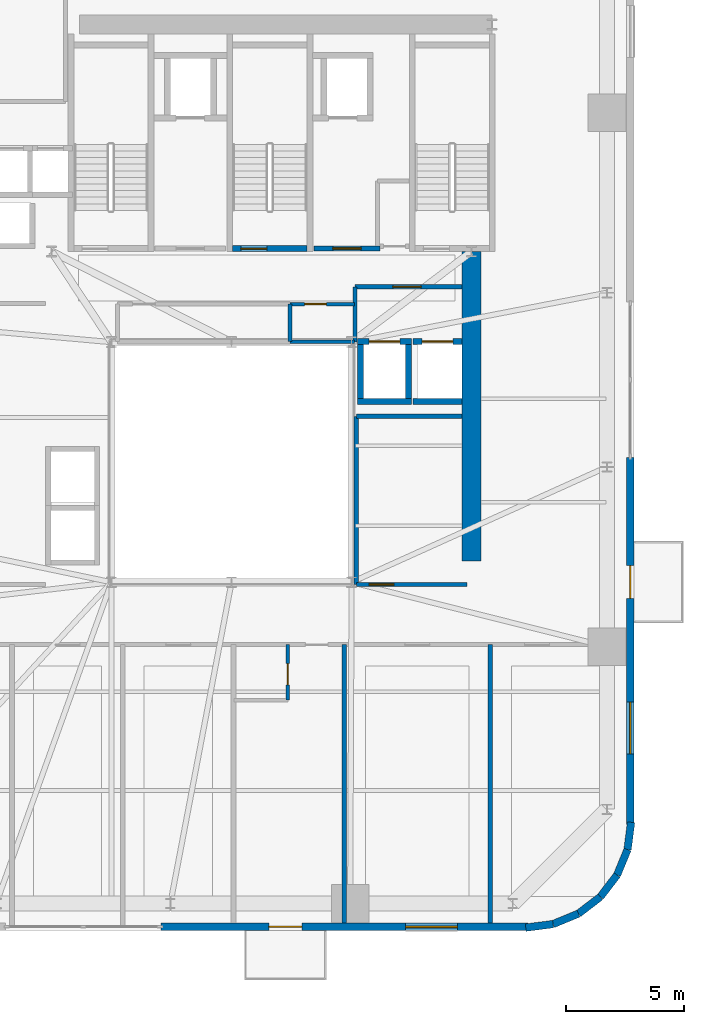
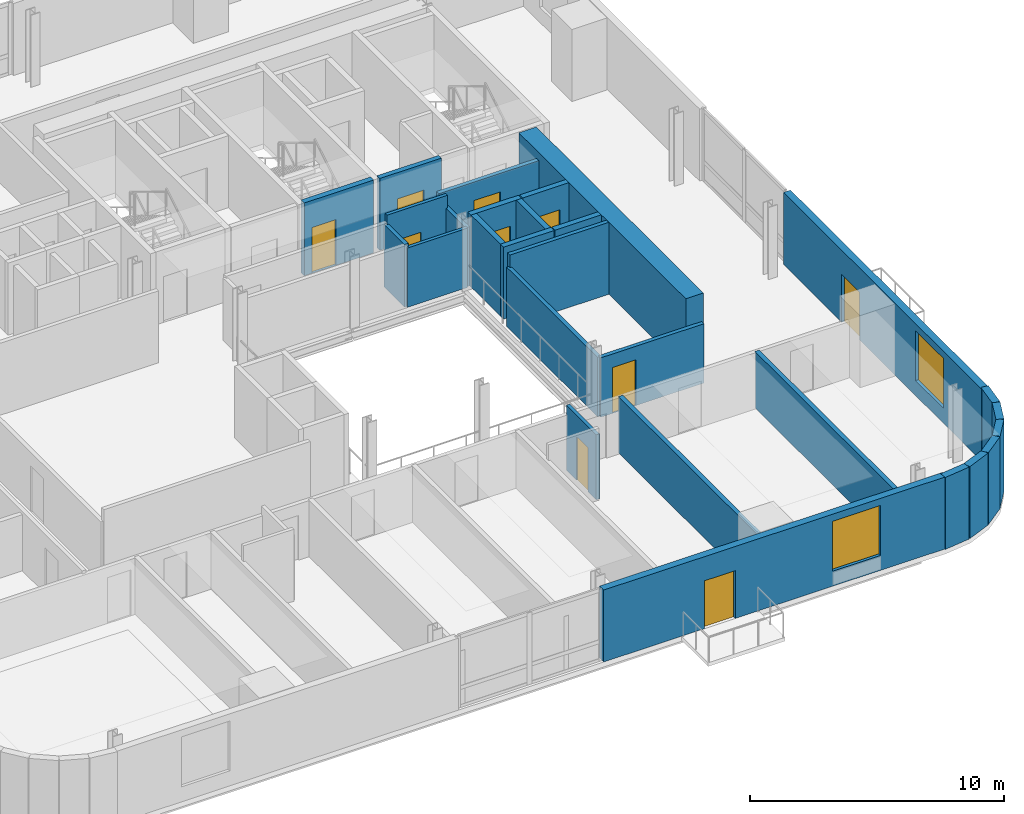
# One storey, part 7 of 14: 28 walls, 10 doors, 2 windows, 12 openings.
"""IFC4 building model written with IfcOpenShell, lengths in metres."""

from ifc_helpers import new_model, si_unit, direction, frame, frame_2d, origin, place, context, subcontext, project, spatial, rectangle, extrude, source, transform, mapped, material, layer, layer_set, type_object, element, fill, save


model = new_model("IFC4")

# Units and contexts
model_context = context("Model", 3, precision=1e-05, world=origin(), true_north=direction((0.0, 1.0)))
body_context = subcontext(model_context, "Body", "Model", "MODEL_VIEW")
ifc_project = project(units=[si_unit("LENGTHUNIT", "METRE"), si_unit("AREAUNIT", "SQUARE_METRE"), si_unit("VOLUMEUNIT", "CUBIC_METRE"), si_unit("PLANEANGLEUNIT", "RADIAN"), si_unit("MASSUNIT", "GRAM", prefix="KILO")], contexts=[model_context])

# Site, building, storey
site_placement = place(None, origin())
site = spatial("IfcSite", under=ifc_project, at=site_placement, CompositionType="ELEMENT")
building_placement = place(site_placement, origin())
building = spatial("IfcBuilding", under=site, at=building_placement, Name="Vardaveli Station Tower", CompositionType="ELEMENT")
storey_placement = place(building_placement, frame((0.0, 0.0, 152.0)))
storey = spatial("IfcBuildingStorey", under=building, at=storey_placement, Name="L39", CompositionType="ELEMENT", Elevation=152.0)

# Wall
ifc_material_1 = material(Name="Concrete C50/60", Category="concrete")
ifc_layer_1 = layer(ifc_material_1, 0.800048828125, Name="Concrete C50/60")
ifc_layer_set_1 = layer_set([ifc_layer_1], Name="Concrete C50/60")
wall_type_1 = type_object("IfcWallType", Name="WAL-CORE-800", PredefinedType="SHEAR", material=ifc_layer_set_1)
shared_shape_1 = source(origin(), body_context, "Body", "SweptSolid", [
    extrude(rectangle(XDim=13.14990234375, YDim=0.800048828125, at=frame_2d((6.574951171875, 0.0))), origin(), (0.0, 0.0, 1.0), 3.4599609375),
])
wall_1_placement = place(storey_placement, frame((46.5, 17.5, 0.0), z_axis=(0.0, 0.0, 1.0), x_axis=(0.0, 1.0, 0.0)))
element("IfcWall", 1, at=wall_1_placement, inside=storey, type_object=wall_type_1, Name="SW-L39-EAST2", PredefinedType="SHEAR", context=body_context, shape_type="MappedRepresentation", body=[
    mapped(shared_shape_1, transform((0.0, 0.0, 0.0), scale=1.0)),
])

# Wall, openings, door, window
ifc_material_2 = material(Name="Precast concrete C45/55", Category="concrete")
ifc_layer_2 = layer(ifc_material_2, 0.320068359375, Name="Precast concrete C45/55")
ifc_layer_set_2 = layer_set([ifc_layer_2], Name="Precast concrete C45/55")
wall_type_2 = type_object("IfcWallType", Name="WAL-EXT-STONE-320", PredefinedType="SOLIDWALL", material=ifc_layer_set_2)
shared_shape_2 = source(origin(), body_context, "Body", "SweptSolid", [
    extrude(rectangle(XDim=15.599853515625, YDim=0.320068359375, at=frame_2d((7.7998046875, 0.0))), origin(), (0.0, 0.0, 1.0), 3.4599609375),
])
wall_2_placement = place(storey_placement, frame((33.300048828125, 1.9599609375, 0.0), z_axis=(0.0, 0.0, 1.0), x_axis=(1.0, 0.0, 0.0)))
wall_2 = element("IfcWall", 2, at=wall_2_placement, inside=storey, type_object=wall_type_2, Name="EW-L39-S2", PredefinedType="SOLIDWALL", context=body_context, shape_type="MappedRepresentation", body=[
    mapped(shared_shape_2, transform((0.0, 0.0, 0.0), scale=1.0)),
])
shared_shape_3 = source(origin(), body_context, "Body", "SweptSolid", [
    extrude(rectangle(XDim=1.39990234375, YDim=2.300048828125, at=frame_2d((0.699951171875, 1.14990234375))), frame((0.0, 0.169921875, 0.0), z_axis=(0.0, -1.0, 0.0), x_axis=(1.0, 0.0, 0.0)), (0.0, 0.0, 1.0), 0.340087890625),
])
opening_1_placement = place(wall_2_placement, frame((4.589599609375, 0.0, 0.0)))
opening_1 = element("IfcOpeningElement", 3, at=opening_1_placement, cuts=wall_2, Name="Opening D-09", PredefinedType="OPENING", context=body_context, shape_type="MappedRepresentation", body=[
    mapped(shared_shape_3, transform((0.0, 0.0, 0.0), scale=1.0)),
])
shared_shape_4 = source(origin(), body_context, "Body", "SweptSolid", [
    extrude(rectangle(XDim=2.199951171875, YDim=2.39990234375, at=frame_2d((1.10009765625, 1.199951171875))), frame((0.0, 0.169921875, 0.0), z_axis=(0.0, -1.0, 0.0), x_axis=(1.0, 0.0, 0.0)), (0.0, 0.0, 1.0), 0.340087890625),
])
opening_2_placement = place(wall_2_placement, frame((10.39501953125, 0.0, 0.719970703125)))
opening_2 = element("IfcOpeningElement", 4, at=opening_2_placement, cuts=wall_2, Name="Opening W-03", PredefinedType="OPENING", context=body_context, shape_type="MappedRepresentation", body=[
    mapped(shared_shape_4, transform((0.0, 0.0, 0.0), scale=1.0)),
])
ifc_material_3 = material(Name="Thermally broken aluminium glass", Category="aluminium")
door_type_1 = type_object("IfcDoorType", Name="DR-LOG-1400x2300", OperationType="DOUBLE_DOOR_SLIDING", PredefinedType="DOOR", material=ifc_material_3)
shared_shape_5 = source(origin(), body_context, "Body", "SweptSolid", [
    extrude(rectangle(XDim=1.39990234375, YDim=2.300048828125, at=frame_2d((0.699951171875, 1.14990234375))), frame((0.0, 0.02490234375, 0.0), z_axis=(0.0, -1.0, 0.0), x_axis=(1.0, 0.0, 0.0)), (0.0, 0.0, 1.0), 0.050048828125),
])
door_1_placement = place(opening_1_placement, frame((1.39990234375, 0.0, 0.0), z_axis=(0.0, 0.0, 1.0), x_axis=(-1.0, 0.0, 0.0)))
door_1 = element("IfcDoor", 5, at=door_1_placement, inside=storey, type_object=door_type_1, Name="DLG-L39-S", OperationType="DOUBLE_DOOR_SLIDING", OverallHeight=2.300048828125, OverallWidth=1.39990234375, PredefinedType="DOOR", context=body_context, shape_type="MappedRepresentation", body=[
    mapped(shared_shape_5, transform((0.0, 0.0, 0.0), scale=1.0)),
])
fill(opening_1, door_1)
ifc_material_4 = material(Name="Low-E solar-control glass", Category="glass")
window_type = type_object("IfcWindowType", Name="WIN-LOG-2200x2400", PartitioningType="SINGLE_PANEL", PredefinedType="WINDOW", material=ifc_material_4)
shared_shape_6 = source(origin(), body_context, "Body", "SweptSolid", [
    extrude(rectangle(XDim=2.199951171875, YDim=2.39990234375, at=frame_2d((1.10009765625, 1.199951171875))), frame((0.0, 0.030029296875, 0.0), z_axis=(0.0, -1.0, 0.0), x_axis=(1.0, 0.0, 0.0)), (0.0, 0.0, 1.0), 0.06005859375),
])
window_1_placement = place(opening_2_placement, origin())
window_1 = element("IfcWindow", 6, at=window_1_placement, inside=storey, type_object=window_type, Name="WN-L39-S2", OverallHeight=2.39990234375, OverallWidth=2.199951171875, PartitioningType="SINGLE_PANEL", PredefinedType="WINDOW", context=body_context, shape_type="MappedRepresentation", body=[
    mapped(shared_shape_6, transform((0.0, 0.0, 0.0), scale=1.0)),
])
fill(opening_2, window_1)

wall_3_placement = place(storey_placement, frame((53.239990234375, 6.300048828125, 0.0), z_axis=(0.0, 0.0, 1.0), x_axis=(0.0, 1.0, 0.0)))
wall_3 = element("IfcWall", 7, at=wall_3_placement, inside=storey, type_object=wall_type_2, Name="EW-L39-E1", PredefinedType="SOLIDWALL", context=body_context, shape_type="MappedRepresentation", body=[
    mapped(shared_shape_2, transform((0.0, 0.0, 0.0), scale=1.0)),
])
opening_3_placement = place(wall_3_placement, frame((9.6103515625, 0.0, 0.0)))
opening_3 = element("IfcOpeningElement", 8, at=opening_3_placement, cuts=wall_3, Name="Opening D-09", PredefinedType="OPENING", context=body_context, shape_type="MappedRepresentation", body=[
    mapped(shared_shape_3, transform((0.0, 0.0, 0.0), scale=1.0)),
])
opening_4_placement = place(wall_3_placement, frame((3.0048828125, 0.0, 0.719970703125)))
opening_4 = element("IfcOpeningElement", 9, at=opening_4_placement, cuts=wall_3, Name="Opening W-03", PredefinedType="OPENING", context=body_context, shape_type="MappedRepresentation", body=[
    mapped(shared_shape_4, transform((0.0, 0.0, 0.0), scale=1.0)),
])
door_2_placement = place(opening_3_placement, frame((1.39990234375, 0.0, 0.0), z_axis=(0.0, 0.0, 1.0), x_axis=(-1.0, 0.0, 0.0)))
door_2 = element("IfcDoor", 10, at=door_2_placement, inside=storey, type_object=door_type_1, Name="DLG-L39-E", OperationType="DOUBLE_DOOR_SLIDING", OverallHeight=2.300048828125, OverallWidth=1.39990234375, PredefinedType="DOOR", context=body_context, shape_type="MappedRepresentation", body=[
    mapped(shared_shape_5, transform((0.0, 0.0, 0.0), scale=1.0)),
])
fill(opening_3, door_2)
window_2_placement = place(opening_4_placement, origin())
window_2 = element("IfcWindow", 11, at=window_2_placement, inside=storey, type_object=window_type, Name="WN-L39-E1", OverallHeight=2.39990234375, OverallWidth=2.199951171875, PartitioningType="SINGLE_PANEL", PredefinedType="WINDOW", context=body_context, shape_type="MappedRepresentation", body=[
    mapped(shared_shape_6, transform((0.0, 0.0, 0.0), scale=1.0)),
])
fill(opening_4, window_2)

# Walls
shared_shape_7 = source(origin(), body_context, "Body", "SweptSolid", [
    extrude(rectangle(XDim=1.170654296875, YDim=0.320068359375, at=frame_2d((0.58544921875, 0.0))), origin(), (0.0, 0.0, 1.0), 3.4599609375),
])
wall_4_placement = place(storey_placement, frame((53.12548828125, 5.23974609375, 0.0), z_axis=(0.0, 0.0, 1.0), x_axis=(0.128269133229, 0.991739395941, 0.0)))
element("IfcWall", 12, at=wall_4_placement, inside=storey, type_object=wall_type_2, Name="EW-L39-CR2-6", PredefinedType="SOLIDWALL", context=body_context, shape_type="MappedRepresentation", body=[
    mapped(shared_shape_7, transform((0.0, 0.0, 0.0), scale=1.0)),
])
shared_shape_8 = source(origin(), body_context, "Body", "SweptSolid", [
    extrude(rectangle(XDim=1.1689453125, YDim=0.320068359375, at=frame_2d((0.58447265625, 0.0))), origin(), (0.0, 0.0, 1.0), 3.4599609375),
])
for number, where, z_axis, x_axis, name in (
    (13, (51.96875, 3.231201171875, 0.0), (0.0, 0.0, 1.0), (0.608387696831, 0.793639975269, 0.0), "EW-L39-CR2-4"),
    (14, (52.679931640625, 4.158935546875, 0.0), (0.0, 0.0, 1.0), (0.381127904695, 0.924522320046, 0.0), "EW-L39-CR2-5"),
):
    element("IfcWall", number, at=place(storey_placement, frame(where, z_axis=z_axis, x_axis=x_axis)), inside=storey, type_object=wall_type_2, Name=name, PredefinedType="SOLIDWALL", context=body_context, shape_type="MappedRepresentation", body=[
        mapped(shared_shape_8, transform((0.0, 0.0, 0.0), scale=1.0)),
    ])
shared_shape_9 = source(origin(), body_context, "Body", "SweptSolid", [
    extrude(rectangle(XDim=1.168701171875, YDim=0.320068359375, at=frame_2d((0.58447265625, 0.0))), origin(), (0.0, 0.0, 1.0), 3.4599609375),
])
wall_5_placement = place(storey_placement, frame((51.041259765625, 2.520263671875, 0.0), z_axis=(0.0, 0.0, 1.0), x_axis=(0.793663520347, 0.608356981114, 0.0)))
element("IfcWall", 15, at=wall_5_placement, inside=storey, type_object=wall_type_2, Name="EW-L39-CR2-3", PredefinedType="SOLIDWALL", context=body_context, shape_type="MappedRepresentation", body=[
    mapped(shared_shape_9, transform((0.0, 0.0, 0.0), scale=1.0)),
])
shared_shape_10 = source(origin(), body_context, "Body", "SweptSolid", [
    extrude(rectangle(XDim=1.16943359375, YDim=0.320068359375, at=frame_2d((0.584716796875, 0.0))), origin(), (0.0, 0.0, 1.0), 3.4599609375),
])
wall_6_placement = place(storey_placement, frame((49.960205078125, 2.074462890625, 0.0), z_axis=(0.0, 0.0, 1.0), x_axis=(0.924479075121, 0.381232789334, 0.0)))
element("IfcWall", 16, at=wall_6_placement, inside=storey, type_object=wall_type_2, Name="EW-L39-CR2-2", PredefinedType="SOLIDWALL", context=body_context, shape_type="MappedRepresentation", body=[
    mapped(shared_shape_10, transform((0.0, 0.0, 0.0), scale=1.0)),
])
shared_shape_11 = source(origin(), body_context, "Body", "SweptSolid", [
    extrude(rectangle(XDim=1.170166015625, YDim=0.320068359375, at=frame_2d((0.5849609375, 0.0))), origin(), (0.0, 0.0, 1.0), 3.4599609375),
])
wall_7_placement = place(storey_placement, frame((48.799560546875, 1.924560546875, 0.0), z_axis=(0.0, 0.0, 1.0), x_axis=(0.991762485493, 0.128090485085, 0.0)))
element("IfcWall", 17, at=wall_7_placement, inside=storey, type_object=wall_type_2, Name="EW-L39-CR2-1", PredefinedType="SOLIDWALL", context=body_context, shape_type="MappedRepresentation", body=[
    mapped(shared_shape_11, transform((0.0, 0.0, 0.0), scale=1.0)),
])

# Wall, opening, door
ifc_material_5 = material(Name="Concrete C40/50", Category="concrete")
ifc_layer_3 = layer(ifc_material_5, 0.25, Name="Concrete C40/50")
ifc_layer_set_3 = layer_set([ifc_layer_3], Name="Concrete C40/50")
wall_type_3 = type_object("IfcWallType", Name="WAL-SHAFT-250", PredefinedType="SOLIDWALL", material=ifc_layer_set_3)
shared_shape_12 = source(origin(), body_context, "Body", "SweptSolid", [
    extrude(rectangle(XDim=3.14990234375, YDim=0.25, at=frame_2d((1.574951171875, 0.0))), origin(), (0.0, 0.0, 1.0), 3.5),
])
wall_8_placement = place(storey_placement, frame((36.35009765625, 30.77490234375, 0.0), z_axis=(0.0, 0.0, 1.0), x_axis=(1.0, 0.0, 0.0)))
wall_8 = element("IfcWall", 18, at=wall_8_placement, inside=storey, type_object=wall_type_3, Name="W-L39-ST-2S", PredefinedType="SOLIDWALL", context=body_context, shape_type="MappedRepresentation", body=[
    mapped(shared_shape_12, transform((0.0, 0.0, 0.0), scale=1.0)),
])
shared_shape_13 = source(origin(), body_context, "Body", "SweptSolid", [
    extrude(rectangle(XDim=1.10009765625, YDim=2.199951171875, at=frame_2d((0.550048828125, 1.10009765625))), frame((0.0, 0.135009765625, 0.0), z_axis=(0.0, -1.0, 0.0), x_axis=(1.0, 0.0, 0.0)), (0.0, 0.0, 1.0), 0.27001953125),
])
opening_5_placement = place(wall_8_placement, frame((0.35009765625, 0.0, 0.0)))
opening_5 = element("IfcOpeningElement", 19, at=opening_5_placement, cuts=wall_8, Name="Opening D-04", PredefinedType="OPENING", context=body_context, shape_type="MappedRepresentation", body=[
    mapped(shared_shape_13, transform((0.0, 0.0, 0.0), scale=1.0)),
])
ifc_material_6 = material(Name="Steel smokeproof fire doorset", Category="steel")
door_type_2 = type_object("IfcDoorType", Name="DR-ST-1100x2200", OperationType="NOTDEFINED", PredefinedType="DOOR", material=ifc_material_6)
shared_shape_14 = source(origin(), body_context, "Body", "SweptSolid", [
    extrude(rectangle(XDim=1.10009765625, YDim=2.199951171875, at=frame_2d((0.550048828125, 1.10009765625))), frame((0.0, 0.02490234375, 0.0), z_axis=(0.0, -1.0, 0.0), x_axis=(1.0, 0.0, 0.0)), (0.0, 0.0, 1.0), 0.050048828125),
])
door_3_placement = place(opening_5_placement, origin())
door_3 = element("IfcDoor", 20, at=door_3_placement, inside=storey, type_object=door_type_2, Name="DST-2-L39", OperationType="SINGLE_SWING_LEFT", OverallHeight=2.199951171875, OverallWidth=1.10009765625, PredefinedType="DOOR", context=body_context, shape_type="MappedRepresentation", body=[
    mapped(shared_shape_14, transform((0.0, 0.0, 0.0), scale=1.0)),
])
fill(opening_5, door_3)

ifc_layer_4 = layer(ifc_material_5, 0.219970703125, Name="Concrete C40/50")
ifc_layer_set_4 = layer_set([ifc_layer_4], Name="Concrete C40/50")
wall_type_4 = type_object("IfcWallType", Name="WAL-FFLOBBY-220", PredefinedType="SOLIDWALL", material=ifc_layer_set_4)
shared_shape_15 = source(origin(), body_context, "Body", "SweptSolid", [
    extrude(rectangle(XDim=2.800048828125, YDim=0.219970703125, at=frame_2d((1.39990234375, 0.0))), origin(), (0.0, 0.0, 1.0), 3.4599609375),
])
wall_9_placement = place(storey_placement, frame((39.800048828125, 30.780029296875, 0.0), z_axis=(0.0, 0.0, 1.0), x_axis=(1.0, 0.0, 0.0)))
wall_9 = element("IfcWall", 21, at=wall_9_placement, inside=storey, type_object=wall_type_4, Name="W-L39-FFL2S", PredefinedType="SOLIDWALL", context=body_context, shape_type="MappedRepresentation", body=[
    mapped(shared_shape_15, transform((0.0, 0.0, 0.0), scale=1.0)),
])
shared_shape_16 = source(origin(), body_context, "Body", "SweptSolid", [
    extrude(rectangle(XDim=1.199951171875, YDim=2.199951171875, at=frame_2d((0.60009765625, 1.10009765625))), frame((0.0, 0.1201171875, 0.0), z_axis=(0.0, -1.0, 0.0), x_axis=(1.0, 0.0, 0.0)), (0.0, 0.0, 1.0), 0.239990234375),
])
opening_6_placement = place(wall_9_placement, frame((0.800048828125, 0.0, 0.0)))
opening_6 = element("IfcOpeningElement", 22, at=opening_6_placement, cuts=wall_9, Name="Opening D-03", PredefinedType="OPENING", context=body_context, shape_type="MappedRepresentation", body=[
    mapped(shared_shape_16, transform((0.0, 0.0, 0.0), scale=1.0)),
])
door_type_3 = type_object("IfcDoorType", Name="DR-FFL-1200x2200", OperationType="NOTDEFINED", PredefinedType="DOOR", material=ifc_material_6)
shared_shape_17 = source(origin(), body_context, "Body", "SweptSolid", [
    extrude(rectangle(XDim=1.199951171875, YDim=2.199951171875, at=frame_2d((0.60009765625, 1.10009765625))), frame((0.0, 0.02490234375, 0.0), z_axis=(0.0, -1.0, 0.0), x_axis=(1.0, 0.0, 0.0)), (0.0, 0.0, 1.0), 0.050048828125),
])
door_4_placement = place(opening_6_placement, origin())
door_4 = element("IfcDoor", 23, at=door_4_placement, inside=storey, type_object=door_type_3, Name="DFFL2-L39", OperationType="SINGLE_SWING_RIGHT", OverallHeight=2.199951171875, OverallWidth=1.199951171875, PredefinedType="DOOR", context=body_context, shape_type="MappedRepresentation", body=[
    mapped(shared_shape_17, transform((0.0, 0.0, 0.0), scale=1.0)),
])
fill(opening_6, door_4)

# Wall
shared_shape_18 = source(origin(), body_context, "Body", "SweptSolid", [
    extrude(rectangle(XDim=2.300048828125, YDim=0.25, at=frame_2d((1.14990234375, 0.0))), origin(), (0.0, 0.0, 1.0), 3.4599609375),
])
wall_10_placement = place(storey_placement, frame((41.64990234375, 24.27490234375, 0.0), z_axis=(0.0, 0.0, 1.0), x_axis=(1.0, 0.0, 0.0)))
element("IfcWall", 24, at=wall_10_placement, inside=storey, type_object=wall_type_3, Name="SHW-SRV-01-L39-S", PredefinedType="SOLIDWALL", context=body_context, shape_type="MappedRepresentation", body=[
    mapped(shared_shape_18, transform((0.0, 0.0, 0.0), scale=1.0)),
])

# Wall, opening, door
wall_11_placement = place(storey_placement, frame((41.64990234375, 26.824951171875, 0.0), z_axis=(0.0, 0.0, 1.0), x_axis=(1.0, 0.0, 0.0)))
wall_11 = element("IfcWall", 25, at=wall_11_placement, inside=storey, type_object=wall_type_3, Name="SHW-SRV-01-L39-N", PredefinedType="SOLIDWALL", context=body_context, shape_type="MappedRepresentation", body=[
    mapped(shared_shape_18, transform((0.0, 0.0, 0.0), scale=1.0)),
])
shared_shape_19 = source(origin(), body_context, "Body", "SweptSolid", [
    extrude(rectangle(XDim=1.300048828125, YDim=2.300048828125, at=frame_2d((0.64990234375, 1.14990234375))), frame((0.0, 0.135009765625, 0.0), z_axis=(0.0, -1.0, 0.0), x_axis=(1.0, 0.0, 0.0)), (0.0, 0.0, 1.0), 0.27001953125),
])
opening_7_placement = place(wall_11_placement, frame((0.5, 0.0, 0.0)))
opening_7 = element("IfcOpeningElement", 26, at=opening_7_placement, cuts=wall_11, Name="Opening LD-03", PredefinedType="OPENING", context=body_context, shape_type="MappedRepresentation", body=[
    mapped(shared_shape_19, transform((0.0, 0.0, 0.0), scale=1.0)),
])
ifc_material_7 = material(Name="Brushed stainless steel", Category="steel")
door_type_4 = type_object("IfcDoorType", Name="DR-LD-1300x2300", OperationType="DOUBLE_DOOR_SLIDING", PredefinedType="DOOR", material=ifc_material_7)
shared_shape_20 = source(origin(), body_context, "Body", "SweptSolid", [
    extrude(rectangle(XDim=1.300048828125, YDim=2.300048828125, at=frame_2d((0.64990234375, 1.14990234375))), frame((0.0, 0.02490234375, 0.0), z_axis=(0.0, -1.0, 0.0), x_axis=(1.0, 0.0, 0.0)), (0.0, 0.0, 1.0), 0.050048828125),
])
door_5_placement = place(opening_7_placement, origin())
door_5 = element("IfcDoor", 27, at=door_5_placement, inside=storey, type_object=door_type_4, Name="LD-SRV-01-L39", OperationType="DOUBLE_DOOR_SLIDING", OverallHeight=2.300048828125, OverallWidth=1.300048828125, PredefinedType="DOOR", context=body_context, shape_type="MappedRepresentation", body=[
    mapped(shared_shape_20, transform((0.0, 0.0, 0.0), scale=1.0)),
])
fill(opening_7, door_5)

# Walls
for number, where, z_axis, x_axis, name in (
    (28, (41.77490234375, 24.39990234375, 0.0), (0.0, 0.0, 1.0), (0.0, 1.0, 0.0), "SHW-SRV-01-L39-W"),
    (29, (43.824951171875, 24.39990234375, 0.0), (0.0, 0.0, 1.0), (0.0, 1.0, 0.0), "SHW-SRV-01-L39-E"),
):
    element("IfcWall", number, at=place(storey_placement, frame(where, z_axis=z_axis, x_axis=x_axis)), inside=storey, type_object=wall_type_3, Name=name, PredefinedType="SOLIDWALL", context=body_context, shape_type="MappedRepresentation", body=[
        mapped(shared_shape_18, transform((0.0, 0.0, 0.0), scale=1.0)),
    ])
shared_shape_21 = source(origin(), body_context, "Body", "SweptSolid", [
    extrude(rectangle(XDim=2.10009765625, YDim=0.25, at=frame_2d((1.050048828125, 0.0))), origin(), (0.0, 0.0, 1.0), 3.4599609375),
])
wall_12_placement = place(storey_placement, frame((44.0, 24.27490234375, 0.0), z_axis=(0.0, 0.0, 1.0), x_axis=(1.0, 0.0, 0.0)))
element("IfcWall", 30, at=wall_12_placement, inside=storey, type_object=wall_type_3, Name="SHW-SRV-02-L39-S", PredefinedType="SOLIDWALL", context=body_context, shape_type="MappedRepresentation", body=[
    mapped(shared_shape_21, transform((0.0, 0.0, 0.0), scale=1.0)),
])

# Wall, opening, door
wall_13_placement = place(storey_placement, frame((44.0, 26.824951171875, 0.0), z_axis=(0.0, 0.0, 1.0), x_axis=(1.0, 0.0, 0.0)))
wall_13 = element("IfcWall", 31, at=wall_13_placement, inside=storey, type_object=wall_type_3, Name="SHW-SRV-02-L39-N", PredefinedType="SOLIDWALL", context=body_context, shape_type="MappedRepresentation", body=[
    mapped(shared_shape_21, transform((0.0, 0.0, 0.0), scale=1.0)),
])
opening_8_placement = place(wall_13_placement, frame((0.39990234375, 0.0, 0.0)))
opening_8 = element("IfcOpeningElement", 32, at=opening_8_placement, cuts=wall_13, Name="Opening LD-03", PredefinedType="OPENING", context=body_context, shape_type="MappedRepresentation", body=[
    mapped(shared_shape_19, transform((0.0, 0.0, 0.0), scale=1.0)),
])
door_6_placement = place(opening_8_placement, origin())
door_6 = element("IfcDoor", 33, at=door_6_placement, inside=storey, type_object=door_type_4, Name="LD-SRV-02-L39", OperationType="DOUBLE_DOOR_SLIDING", OverallHeight=2.300048828125, OverallWidth=1.300048828125, PredefinedType="DOOR", context=body_context, shape_type="MappedRepresentation", body=[
    mapped(shared_shape_20, transform((0.0, 0.0, 0.0), scale=1.0)),
])
fill(opening_8, door_6)

ifc_material_8 = material(Name="Fire-rated gypsum stud partition")
ifc_layer_5 = layer(ifc_material_8, 0.179931640625, Name="Fire-rated gypsum stud partition")
ifc_layer_set_5 = layer_set([ifc_layer_5], Name="Fire-rated gypsum stud partition")
wall_type_5 = type_object("IfcWallType", Name="WAL-CORR-180", PredefinedType="PARTITIONING", material=ifc_layer_set_5)
shared_shape_22 = source(origin(), body_context, "Body", "SweptSolid", [
    extrude(rectangle(XDim=4.5478515625, YDim=0.179931640625, at=frame_2d((2.27392578125, 0.0))), origin(), (0.0, 0.0, 1.0), 3.092041015625),
])
wall_14_placement = place(storey_placement, frame((41.550048828125, 29.14990234375, 0.0), z_axis=(0.0, 0.0, 1.0), x_axis=(1.0, 0.0, 0.0)))
wall_14 = element("IfcWall", 34, at=wall_14_placement, inside=storey, type_object=wall_type_5, Name="W-L39-SVFN", PredefinedType="PARTITIONING", context=body_context, shape_type="MappedRepresentation", body=[
    mapped(shared_shape_22, transform((0.0, 0.0, 0.0), scale=1.0)),
])
shared_shape_23 = source(origin(), body_context, "Body", "SweptSolid", [
    extrude(rectangle(XDim=1.199951171875, YDim=2.199951171875, at=frame_2d((0.60009765625, 1.10009765625))), frame((0.0, 0.10009765625, 0.0), z_axis=(0.0, -1.0, 0.0), x_axis=(1.0, 0.0, 0.0)), (0.0, 0.0, 1.0), 0.199951171875),
])
opening_9_placement = place(wall_14_placement, frame((1.60009765625, 0.0, 0.0)))
opening_9 = element("IfcOpeningElement", 35, at=opening_9_placement, cuts=wall_14, Name="Opening D-03", PredefinedType="OPENING", context=body_context, shape_type="MappedRepresentation", body=[
    mapped(shared_shape_23, transform((0.0, 0.0, 0.0), scale=1.0)),
])
door_7_placement = place(opening_9_placement, origin())
door_7 = element("IfcDoor", 36, at=door_7_placement, inside=storey, type_object=door_type_3, Name="D-L39-SVF", OperationType="SINGLE_SWING_LEFT", OverallHeight=2.199951171875, OverallWidth=1.199951171875, PredefinedType="DOOR", context=body_context, shape_type="MappedRepresentation", body=[
    mapped(shared_shape_17, transform((0.0, 0.0, 0.0), scale=1.0)),
])
fill(opening_9, door_7)

shared_shape_24 = source(origin(), body_context, "Body", "SweptSolid", [
    extrude(rectangle(XDim=4.699951171875, YDim=0.179931640625, at=frame_2d((2.35009765625, 0.0))), origin(), (0.0, 0.0, 1.0), 2.85205078125),
])
wall_15_placement = place(storey_placement, frame((41.60009765625, 16.5, 0.0), z_axis=(0.0, 0.0, 1.0), x_axis=(1.0, 0.0, 0.0)))
wall_15 = element("IfcWall", 37, at=wall_15_placement, inside=storey, type_object=wall_type_5, Name="W-L39-ATE-S", PredefinedType="PARTITIONING", context=body_context, shape_type="MappedRepresentation", body=[
    mapped(shared_shape_24, transform((0.0, 0.0, 0.0), scale=1.0)),
])
shared_shape_25 = source(origin(), body_context, "Body", "SweptSolid", [
    extrude(rectangle(XDim=1.050048828125, YDim=2.199951171875, at=frame_2d((0.52490234375, 1.10009765625))), frame((0.0, 0.10009765625, 0.0), z_axis=(0.0, -1.0, 0.0), x_axis=(1.0, 0.0, 0.0)), (0.0, 0.0, 1.0), 0.199951171875),
])
opening_10_placement = place(wall_15_placement, frame((0.550048828125, 0.0, 0.0)))
opening_10 = element("IfcOpeningElement", 38, at=opening_10_placement, cuts=wall_15, Name="Opening D-05", PredefinedType="OPENING", context=body_context, shape_type="MappedRepresentation", body=[
    mapped(shared_shape_25, transform((0.0, 0.0, 0.0), scale=1.0)),
])
ifc_material_9 = material(Name="Walnut veneer acoustic fire door")
door_type_5 = type_object("IfcDoorType", Name="DR-SUITE-1050x2200", OperationType="NOTDEFINED", PredefinedType="DOOR", material=ifc_material_9)
shared_shape_26 = source(origin(), body_context, "Body", "SweptSolid", [
    extrude(rectangle(XDim=1.050048828125, YDim=2.199951171875, at=frame_2d((0.52490234375, 1.10009765625))), frame((0.0, 0.02490234375, 0.0), z_axis=(0.0, -1.0, 0.0), x_axis=(1.0, 0.0, 0.0)), (0.0, 0.0, 1.0), 0.050048828125),
])
door_8_placement = place(opening_10_placement, origin())
door_8 = element("IfcDoor", 39, at=door_8_placement, inside=storey, type_object=door_type_5, Name="D-L39-ATE1", OperationType="SINGLE_SWING_RIGHT", OverallHeight=2.199951171875, OverallWidth=1.050048828125, PredefinedType="DOOR", context=body_context, shape_type="MappedRepresentation", body=[
    mapped(shared_shape_26, transform((0.0, 0.0, 0.0), scale=1.0)),
])
fill(opening_10, door_8)

# Walls
shared_shape_27 = source(origin(), body_context, "Body", "SweptSolid", [
    extrude(rectangle(XDim=7.14990234375, YDim=0.179931640625, at=frame_2d((3.574951171875, 0.0))), origin(), (0.0, 0.0, 1.0), 2.85205078125),
])
wall_16_placement = place(storey_placement, frame((41.60009765625, 16.5, 0.0), z_axis=(0.0, 0.0, 1.0), x_axis=(0.0, 1.0, 0.0)))
element("IfcWall", 40, at=wall_16_placement, inside=storey, type_object=wall_type_5, Name="W-L39-ATE-W", PredefinedType="PARTITIONING", context=body_context, shape_type="MappedRepresentation", body=[
    mapped(shared_shape_27, transform((0.0, 0.0, 0.0), scale=1.0)),
])
shared_shape_28 = source(origin(), body_context, "Body", "SweptSolid", [
    extrude(rectangle(XDim=4.497802734375, YDim=0.179931640625, at=frame_2d((2.2490234375, 0.0))), origin(), (0.0, 0.0, 1.0), 3.4599609375),
])
wall_17_placement = place(storey_placement, frame((41.60009765625, 23.64990234375, 0.0), z_axis=(0.0, 0.0, 1.0), x_axis=(1.0, 0.0, 0.0)))
element("IfcWall", 41, at=wall_17_placement, inside=storey, type_object=wall_type_5, Name="W-L39-ATE-N", PredefinedType="PARTITIONING", context=body_context, shape_type="MappedRepresentation", body=[
    mapped(shared_shape_28, transform((0.0, 0.0, 0.0), scale=1.0)),
])
shared_shape_29 = source(origin(), body_context, "Body", "SweptSolid", [
    extrude(rectangle(XDim=2.349853515625, YDim=0.179931640625, at=frame_2d((1.1748046875, 0.0))), origin(), (0.0, 0.0, 1.0), 2.85205078125),
])
wall_18_placement = place(storey_placement, frame((41.550048828125, 26.800048828125, 0.0), z_axis=(0.0, 0.0, 1.0), x_axis=(0.0, 1.0, 0.0)))
element("IfcWall", 42, at=wall_18_placement, inside=storey, type_object=wall_type_5, Name="W-L39-SVFW", PredefinedType="PARTITIONING", context=body_context, shape_type="MappedRepresentation", body=[
    mapped(shared_shape_29, transform((0.0, 0.0, 0.0), scale=1.0)),
])
ifc_material_10 = material(Name="Acoustic twin-stud gypsum partition")
ifc_layer_6 = layer(ifc_material_10, 0.199951171875, Name="Acoustic twin-stud gypsum partition")
ifc_layer_set_6 = layer_set([ifc_layer_6], Name="Acoustic twin-stud gypsum partition")
wall_type_6 = type_object("IfcWallType", Name="WAL-PARTY-200", PredefinedType="PARTITIONING", material=ifc_layer_set_6)
shared_shape_30 = source(origin(), body_context, "Body", "SweptSolid", [
    extrude(rectangle(XDim=11.827880859375, YDim=0.199951171875, at=frame_2d((5.9140625, 0.0))), origin(), (0.0, 0.0, 1.0), 2.701904296875),
])
for number, where, z_axis, x_axis, name in (
    (43, (41.0849609375, 2.1220703125, 0.0), (0.0, 0.0, 1.0), (0.0, 1.0, 0.0), "W-L39-PS6"),
    (44, (47.2880859375, 2.1220703125, 0.0), (0.0, 0.0, 1.0), (0.0, 1.0, 0.0), "W-L39-PS7"),
):
    element("IfcWall", number, at=place(storey_placement, frame(where, z_axis=z_axis, x_axis=x_axis)), inside=storey, type_object=wall_type_6, Name=name, PredefinedType="PARTITIONING", context=body_context, shape_type="MappedRepresentation", body=[
        mapped(shared_shape_30, transform((0.0, 0.0, 0.0), scale=1.0)),
    ])
shared_shape_31 = source(origin(), body_context, "Body", "SweptSolid", [
    extrude(rectangle(XDim=1.599853515625, YDim=0.179931640625, at=frame_2d((0.7998046875, 0.0))), origin(), (0.0, 0.0, 1.0), 3.001953125),
])
wall_19_placement = place(storey_placement, frame((38.780029296875, 26.820068359375, 0.0), z_axis=(0.0, 0.0, 1.0), x_axis=(0.0, 1.0, 0.0)))
element("IfcWall", 45, at=wall_19_placement, inside=storey, type_object=wall_type_5, Name="W-L39-HKP0-E", PredefinedType="PARTITIONING", context=body_context, shape_type="MappedRepresentation", body=[
    mapped(shared_shape_31, transform((0.0, 0.0, 0.0), scale=1.0)),
])

# Wall, opening, door
ifc_material_11 = material(Name="Moisture-resistant stud partition")
ifc_layer_7 = layer(ifc_material_11, 0.14990234375, Name="Moisture-resistant stud partition")
ifc_layer_set_7 = layer_set([ifc_layer_7], Name="Moisture-resistant stud partition")
wall_type_7 = type_object("IfcWallType", Name="WAL-WET-150", PredefinedType="PARTITIONING", material=ifc_layer_set_7)
shared_shape_32 = source(origin(), body_context, "Body", "SweptSolid", [
    extrude(rectangle(XDim=2.739990234375, YDim=0.14990234375, at=frame_2d((1.3701171875, 0.0))), origin(), (0.0, 0.0, 1.0), 3.4599609375),
])
wall_20_placement = place(storey_placement, frame((38.780029296875, 28.419921875, 0.0), z_axis=(0.0, 0.0, 1.0), x_axis=(1.0, 0.0, 0.0)))
wall_20 = element("IfcWall", 46, at=wall_20_placement, inside=storey, type_object=wall_type_7, Name="W-L39-WCA0-N", PredefinedType="PARTITIONING", context=body_context, shape_type="MappedRepresentation", body=[
    mapped(shared_shape_32, transform((0.0, 0.0, 0.0), scale=1.0)),
])
shared_shape_33 = source(origin(), body_context, "Body", "SweptSolid", [
    extrude(rectangle(XDim=0.919921875, YDim=2.10009765625, at=frame_2d((0.4599609375, 1.050048828125))), frame((0.0, 0.0849609375, 0.0), z_axis=(0.0, -1.0, 0.0), x_axis=(1.0, 0.0, 0.0)), (0.0, 0.0, 1.0), 0.169921875),
])
opening_11_placement = place(wall_20_placement, frame((0.6298828125, 0.0, 0.0)))
opening_11 = element("IfcOpeningElement", 47, at=opening_11_placement, cuts=wall_20, Name="Opening D-07", PredefinedType="OPENING", context=body_context, shape_type="MappedRepresentation", body=[
    mapped(shared_shape_33, transform((0.0, 0.0, 0.0), scale=1.0)),
])
ifc_material_12 = material(Name="Moisture-resistant hardwood door", Category="wood")
door_type_6 = type_object("IfcDoorType", Name="DR-WC-920x2100", OperationType="NOTDEFINED", PredefinedType="DOOR", material=ifc_material_12)
shared_shape_34 = source(origin(), body_context, "Body", "SweptSolid", [
    extrude(rectangle(XDim=0.919921875, YDim=2.10009765625, at=frame_2d((0.4599609375, 1.050048828125))), frame((0.0, 0.02490234375, 0.0), z_axis=(0.0, -1.0, 0.0), x_axis=(1.0, 0.0, 0.0)), (0.0, 0.0, 1.0), 0.050048828125),
])
door_9_placement = place(opening_11_placement, origin())
door_9 = element("IfcDoor", 48, at=door_9_placement, inside=storey, type_object=door_type_6, Name="D-L39-WCA", OperationType="SINGLE_SWING_LEFT", OverallHeight=2.10009765625, OverallWidth=0.919921875, PredefinedType="DOOR", context=body_context, shape_type="MappedRepresentation", body=[
    mapped(shared_shape_34, transform((0.0, 0.0, 0.0), scale=1.0)),
])
fill(opening_11, door_9)

# Wall
shared_shape_35 = source(origin(), body_context, "Body", "SweptSolid", [
    extrude(rectangle(XDim=2.739990234375, YDim=0.14990234375, at=frame_2d((1.3701171875, 0.0))), origin(), (0.0, 0.0, 1.0), 2.85205078125),
])
wall_21_placement = place(storey_placement, frame((38.780029296875, 26.820068359375, 0.0), z_axis=(0.0, 0.0, 1.0), x_axis=(1.0, 0.0, 0.0)))
element("IfcWall", 49, at=wall_21_placement, inside=storey, type_object=wall_type_7, Name="W-L39-WCA0-S", PredefinedType="PARTITIONING", context=body_context, shape_type="MappedRepresentation", body=[
    mapped(shared_shape_35, transform((0.0, 0.0, 0.0), scale=1.0)),
])

# Wall, opening, door
shared_shape_36 = source(origin(), body_context, "Body", "SweptSolid", [
    extrude(rectangle(XDim=2.35986328125, YDim=0.14990234375, at=frame_2d((1.179931640625, 0.0))), origin(), (0.0, 0.0, 1.0), 3.1220703125),
])
wall_22_placement = place(storey_placement, frame((38.69189453125, 11.590087890625, 0.0), z_axis=(0.0, 0.0, 1.0), x_axis=(0.0, 1.0, 0.0)))
wall_22 = element("IfcWall", 50, at=wall_22_placement, inside=storey, type_object=wall_type_7, Name="W-L39-BS6-E", PredefinedType="PARTITIONING", context=body_context, shape_type="MappedRepresentation", body=[
    mapped(shared_shape_36, transform((0.0, 0.0, 0.0), scale=1.0)),
])
shared_shape_37 = source(origin(), body_context, "Body", "SweptSolid", [
    extrude(rectangle(XDim=0.89990234375, YDim=2.10009765625, at=frame_2d((0.449951171875, 1.050048828125))), frame((0.0, 0.0849609375, 0.0), z_axis=(0.0, -1.0, 0.0), x_axis=(1.0, 0.0, 0.0)), (0.0, 0.0, 1.0), 0.169921875),
])
opening_12_placement = place(wall_22_placement, frame((0.64990234375, 0.0, 0.0)))
opening_12 = element("IfcOpeningElement", 51, at=opening_12_placement, cuts=wall_22, Name="Opening D-08", PredefinedType="OPENING", context=body_context, shape_type="MappedRepresentation", body=[
    mapped(shared_shape_37, transform((0.0, 0.0, 0.0), scale=1.0)),
])
ifc_material_13 = material(Name="Moisture-resistant oak door")
door_type_7 = type_object("IfcDoorType", Name="DR-BATH-900x2100", OperationType="NOTDEFINED", PredefinedType="DOOR", material=ifc_material_13)
shared_shape_38 = source(origin(), body_context, "Body", "SweptSolid", [
    extrude(rectangle(XDim=0.89990234375, YDim=2.10009765625, at=frame_2d((0.449951171875, 1.050048828125))), frame((0.0, 0.02490234375, 0.0), z_axis=(0.0, -1.0, 0.0), x_axis=(1.0, 0.0, 0.0)), (0.0, 0.0, 1.0), 0.050048828125),
])
door_10_placement = place(opening_12_placement, origin())
door_10 = element("IfcDoor", 52, at=door_10_placement, inside=storey, type_object=door_type_7, Name="D-L39-BS6", OperationType="SINGLE_SWING_LEFT", OverallHeight=2.10009765625, OverallWidth=0.89990234375, PredefinedType="DOOR", context=body_context, shape_type="MappedRepresentation", body=[
    mapped(shared_shape_38, transform((0.0, 0.0, 0.0), scale=1.0)),
])
fill(opening_12, door_10)

save(model, "model.ifc")
